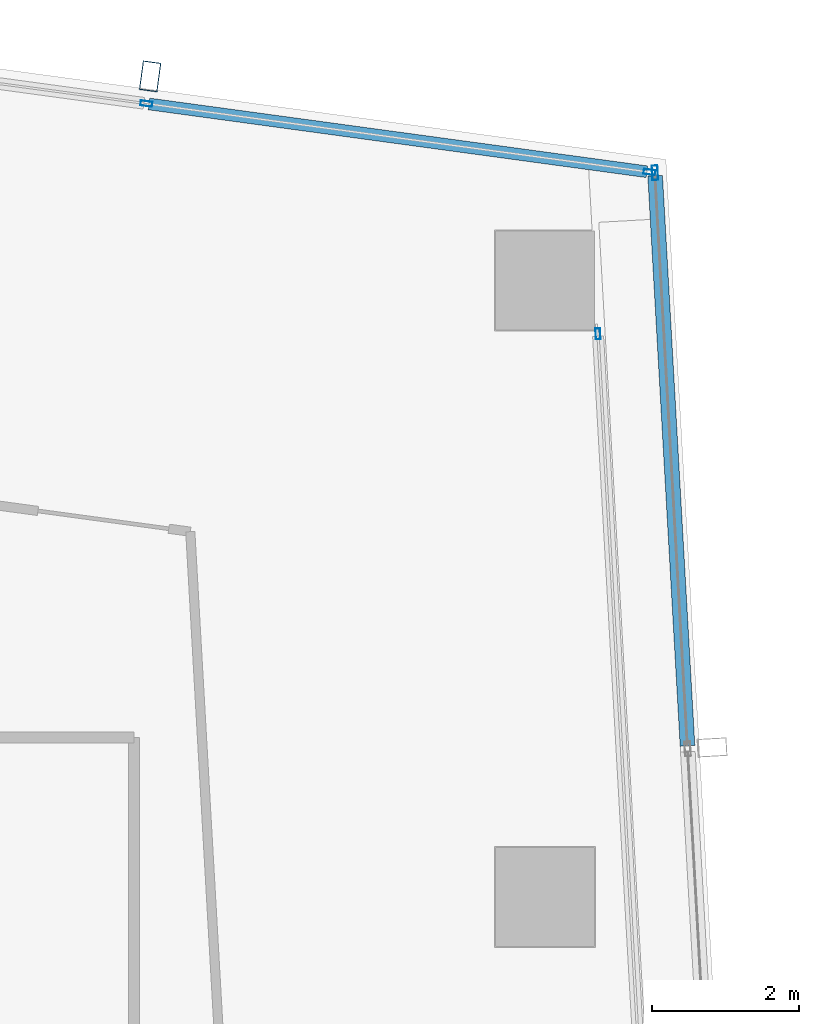
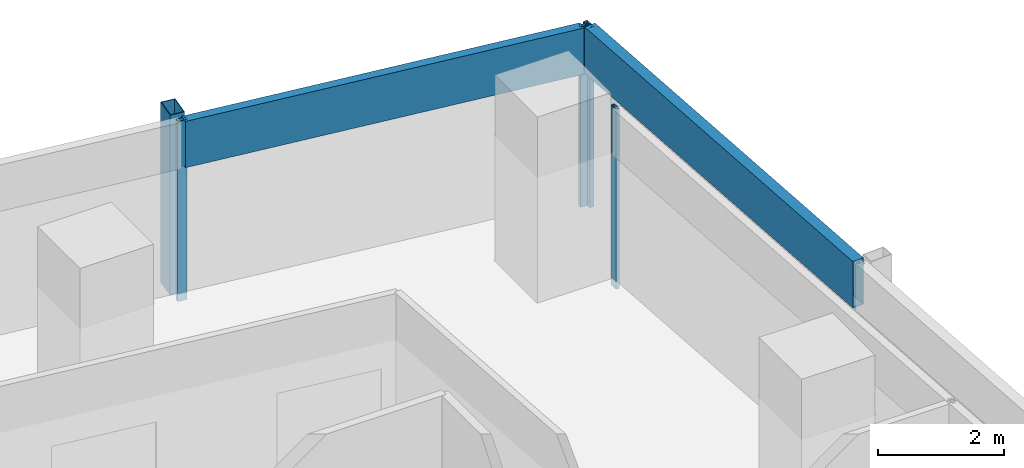
# One storey, part 24 of 40: 7 members, 3 elements without a shape of their own.
"""IFC4 building model written with IfcOpenShell, lengths in metres."""

from ifc_helpers import new_model, si_unit, direction, frame, origin, origin_2d, place, context, subcontext, project, spatial, hollow_rectangle, extrude, material, material_profile, profile_set, type_object, element, aggregate, save


model = new_model("IFC4")

# Units and contexts
model_context = context("Model", 3, precision=1e-05, world=origin(), true_north=direction((0.0, 1.0)))
body_context = subcontext(model_context, "Body", "Model", "MODEL_VIEW")
ifc_project = project(units=[si_unit("LENGTHUNIT", "METRE"), si_unit("AREAUNIT", "SQUARE_METRE"), si_unit("VOLUMEUNIT", "CUBIC_METRE"), si_unit("PLANEANGLEUNIT", "RADIAN"), si_unit("MASSUNIT", "GRAM", prefix="KILO")], contexts=[model_context])

# Site, building, storey
site_placement = place(None, origin())
site = spatial("IfcSite", under=ifc_project, at=site_placement, CompositionType="ELEMENT")
building_placement = place(site_placement, origin())
building = spatial("IfcBuilding", under=site, at=building_placement, Name="Rekha Terrace Tower", CompositionType="ELEMENT")
storey_placement = place(building_placement, frame((0.0, 0.0, 213.949951171875)))
storey = spatial("IfcBuildingStorey", under=building, at=storey_placement, Name="L54", CompositionType="ELEMENT", Elevation=213.949951171875)

# Curtain wall, member
ifc_material_1 = material(Name="Aluminium framing", Category="aluminium")
curtain_wall_type_1 = type_object("IfcCurtainWallType", Name="CW3 north unitised glazing", PredefinedType="USERDEFINED", material=ifc_material_1)
curtain_wall_1_placement = place(storey_placement, origin())
curtain_wall_1 = element("IfcCurtainWall", 1, at=curtain_wall_1_placement, inside=storey, type_object=curtain_wall_type_1, Name="CW3 unitised curtain wall", ObjectType="UNITISED CURTAIN WALL", PredefinedType="USERDEFINED")
ifc_material_2 = material(Name="Steel S355 with fluorocarbon finish", Category="steel")
ifc_material_profile_1 = material_profile(ifc_material_2, hollow_rectangle(XDim=0.25, YDim=0.39990234375, WallThickness=0.012451171875, at=origin_2d()), Name="RHS400x250x12.5")
ifc_profile_set_1 = profile_set([ifc_material_profile_1], Name="Steel S355 with fluorocarbon finish")
member_type_1 = type_object("IfcMemberType", Name="BL1 facade blade RHS 400 x 250", PredefinedType="USERDEFINED", material=ifc_profile_set_1)
member_1_placement = place(storey_placement, frame((53.419921875, 61.583251953125, 0.0), z_axis=(0.0, 0.0, 1.0), x_axis=(-0.990867309488, 0.134840553943, 0.0)))
member_1 = element("IfcMember", 2, at=member_1_placement, type_object=member_type_1, Name="Facade blade", ObjectType="FACADE BLADE", PredefinedType="USERDEFINED", context=body_context, shape_type="SweptSolid", body=[
    extrude(hollow_rectangle(XDim=0.25, YDim=0.39990234375, WallThickness=0.012451171875, at=origin_2d()), origin(), (0.0, 0.0, 1.0), 3.5),
])

curtain_wall_type_2 = type_object("IfcCurtainWallType", Name="CW1 double skin inner glazing", PredefinedType="USERDEFINED", material=ifc_material_1)
curtain_wall_2_placement = place(storey_placement, origin())
curtain_wall_2 = element("IfcCurtainWall", 3, at=curtain_wall_2_placement, inside=storey, type_object=curtain_wall_type_2, Name="CW1 double skin inner glazing", ObjectType="DOUBLE SKIN INNER GLAZING", PredefinedType="USERDEFINED")
ifc_material_3 = material(Name="Aluminium mullion section", Category="aluminium")
ifc_material_profile_2 = material_profile(ifc_material_3, hollow_rectangle(XDim=0.06494140625, YDim=0.14990234375, WallThickness=0.00390625, at=origin_2d()), Name="AL RHS 65x150")
ifc_profile_set_2 = profile_set([ifc_material_profile_2], Name="Aluminium mullion section")
member_type_2 = type_object("IfcMemberType", Name="CW1 mullion RHS 65 x 150", PredefinedType="MULLION", material=ifc_profile_set_2)
member_2_placement = place(storey_placement, frame((59.523193359375, 58.0751953125, 0.0), z_axis=(0.0, 0.0, 1.0), x_axis=(-0.998392782919, -0.05667319486, 0.0)))
member_2 = element("IfcMember", 4, at=member_2_placement, type_object=member_type_2, Name="CW1 mullion 4", PredefinedType="MULLION", context=body_context, shape_type="SweptSolid", body=[
    extrude(hollow_rectangle(XDim=0.06494140625, YDim=0.14990234375, WallThickness=0.00390625, at=origin_2d()), origin(), (0.0, 0.0, 1.0), 3.5),
])
aggregate(curtain_wall_2, [member_2])

# Curtain wall, members
curtain_wall_type_3 = type_object("IfcCurtainWallType", Name="CW2 double skin outer glazing", PredefinedType="USERDEFINED", material=ifc_material_1)
curtain_wall_3_placement = place(storey_placement, origin())
curtain_wall_3 = element("IfcCurtainWall", 5, at=curtain_wall_3_placement, inside=storey, type_object=curtain_wall_type_3, Name="CW2 double skin outer glazing", ObjectType="DOUBLE SKIN OUTER GLAZING", PredefinedType="USERDEFINED")
ifc_material_profile_3 = material_profile(ifc_material_3, hollow_rectangle(XDim=0.080078125, YDim=0.199951171875, WallThickness=0.00390625, at=origin_2d()), Name="AL RHS 80x200")
ifc_profile_set_3 = profile_set([ifc_material_profile_3], Name="Aluminium mullion section")
member_type_3 = type_object("IfcMemberType", Name="CW2 mullion RHS 80 x 200", PredefinedType="MULLION", material=ifc_profile_set_3)
member_3_placement = place(storey_placement, frame((60.300048828125, 60.269287109375, 0.0), z_axis=(0.0, 0.0, 1.0), x_axis=(-0.998392782919, -0.05667319486, 0.0)))
member_3 = element("IfcMember", 6, at=member_3_placement, type_object=member_type_3, Name="CW2 mullion 5", PredefinedType="MULLION", context=body_context, shape_type="SweptSolid", body=[
    extrude(hollow_rectangle(XDim=0.080078125, YDim=0.199951171875, WallThickness=0.00390625, at=origin_2d()), origin(), (0.0, 0.0, 1.0), 3.5),
])
ifc_material_4 = material(Name="Insulated aluminium spandrel box", Category="aluminium")
ifc_material_profile_4 = material_profile(ifc_material_4, hollow_rectangle(XDim=0.199951171875, YDim=0.89990234375, WallThickness=0.0029296875, at=origin_2d()), Name="AL SPANDREL BOX 200x900")
ifc_profile_set_4 = profile_set([ifc_material_profile_4], Name="Insulated aluminium spandrel box")
member_type_4 = type_object("IfcMemberType", Name="CW2 spandrel transom 200 x 900", PredefinedType="USERDEFINED", material=ifc_profile_set_4)
member_4_placement = place(storey_placement, frame((60.743408203125, 52.45849609375, 3.050048828125), z_axis=(-0.05667908121, 0.998392448766, 0.0), x_axis=(-0.998392448766, -0.05667908121, 0.0)))
member_4 = element("IfcMember", 7, at=member_4_placement, type_object=member_type_4, Name="CW2 spandrel transom 4", ObjectType="TRANSOM", PredefinedType="USERDEFINED", context=body_context, shape_type="SweptSolid", body=[
    extrude(hollow_rectangle(XDim=0.199951171875, YDim=0.89990234375, WallThickness=0.0029296875, at=origin_2d()), origin(), (0.0, 0.0, 1.0), 7.783447265625),
])
aggregate(curtain_wall_3, [member_3, member_4])

# Member
ifc_material_profile_5 = material_profile(ifc_material_3, hollow_rectangle(XDim=0.070068359375, YDim=0.159912109375, WallThickness=0.00390625, at=origin_2d()), Name="AL RHS 70x160")
ifc_profile_set_5 = profile_set([ifc_material_profile_5], Name="Aluminium mullion section")
member_type_5 = type_object("IfcMemberType", Name="CW3 mullion RHS 70 x 160", PredefinedType="MULLION", material=ifc_profile_set_5)
member_5_placement = place(storey_placement, frame((60.22509765625, 60.27880859375, 0.0), z_axis=(0.0, 0.0, 1.0), x_axis=(-0.134840840416, -0.990867270504, 0.0)))
member_5 = element("IfcMember", 8, at=member_5_placement, type_object=member_type_5, Name="CW3 mullion 1", PredefinedType="MULLION", context=body_context, shape_type="SweptSolid", body=[
    extrude(hollow_rectangle(XDim=0.070068359375, YDim=0.159912109375, WallThickness=0.00390625, at=origin_2d()), origin(), (0.0, 0.0, 1.0), 3.5),
])

member_6_placement = place(storey_placement, frame((53.369384765625, 61.211669921875, 0.0), z_axis=(0.0, 0.0, 1.0), x_axis=(-0.134840840416, -0.990867270504, 0.0)))
member_6 = element("IfcMember", 9, at=member_6_placement, type_object=member_type_5, Name="CW3 mullion 2", PredefinedType="MULLION", context=body_context, shape_type="SweptSolid", body=[
    extrude(hollow_rectangle(XDim=0.070068359375, YDim=0.159912109375, WallThickness=0.00390625, at=origin_2d()), origin(), (0.0, 0.0, 1.0), 3.5),
])

ifc_material_profile_6 = material_profile(ifc_material_4, hollow_rectangle(XDim=0.159912109375, YDim=0.89990234375, WallThickness=0.0029296875, at=origin_2d()), Name="AL SPANDREL BOX 160x900")
ifc_profile_set_6 = profile_set([ifc_material_profile_6], Name="Insulated aluminium spandrel box")
member_type_6 = type_object("IfcMemberType", Name="CW3 spandrel transom 160 x 900", PredefinedType="USERDEFINED", material=ifc_profile_set_6)
member_7_placement = place(storey_placement, frame((60.190185546875, 60.283447265625, 3.050048828125), z_axis=(-0.990865276141, 0.134855495022, 0.0), x_axis=(-0.134855495022, -0.990865276141, 0.0)))
member_7 = element("IfcMember", 10, at=member_7_placement, type_object=member_type_6, Name="CW3 spandrel transom 1", ObjectType="TRANSOM", PredefinedType="USERDEFINED", context=body_context, shape_type="SweptSolid", body=[
    extrude(hollow_rectangle(XDim=0.159912109375, YDim=0.89990234375, WallThickness=0.0029296875, at=origin_2d()), origin(), (0.0, 0.0, 1.0), 6.8486328125),
])

aggregate(curtain_wall_1, [member_5, member_6, member_7, member_1])

save(model, "model.ifc")
